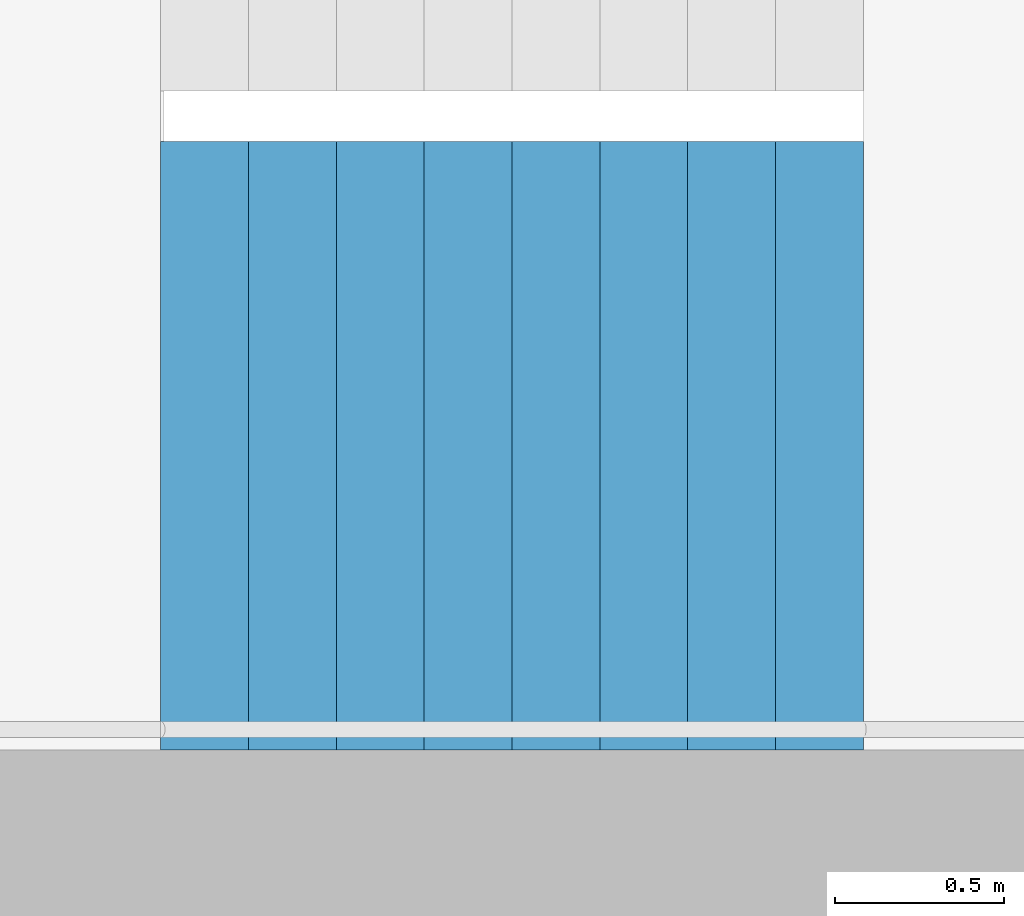
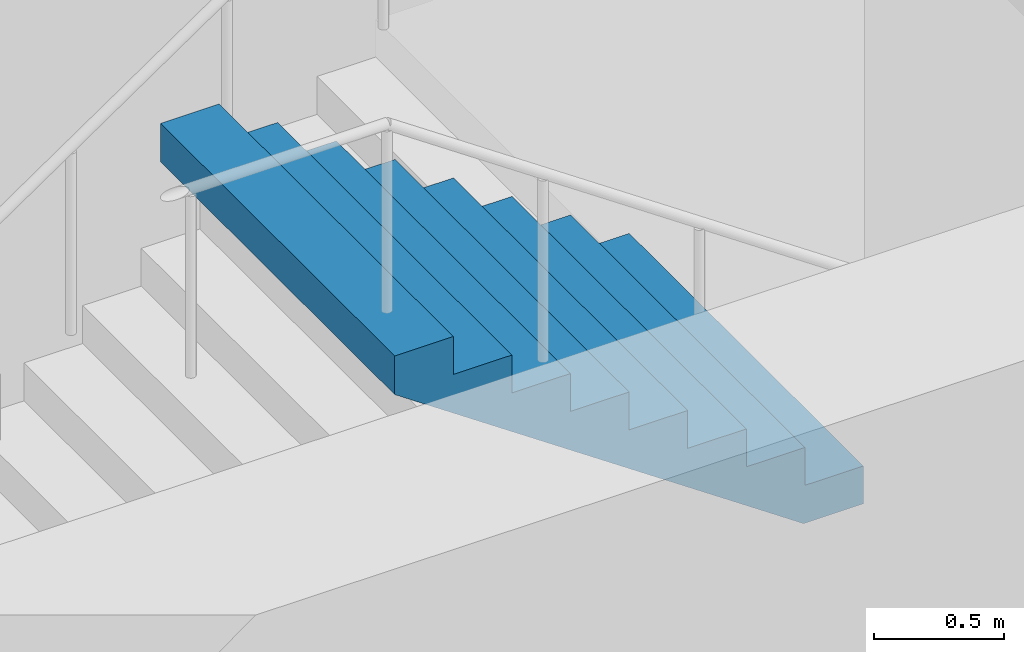
# One storey, part 25 of 42: 1 stair flight, 1 element without a shape of its own.
"""IFC4 building model written with IfcOpenShell, lengths in metres."""

from ifc_helpers import new_model, si_unit, direction, frame, origin, place, context, subcontext, project, spatial, triangles, material, type_object, element, aggregate, save


model = new_model("IFC4")

# Units and contexts
model_context = context("Model", 3, precision=1e-05, world=origin(), true_north=direction((0.0, 1.0)))
body_context = subcontext(model_context, "Body", "Model", "MODEL_VIEW")
ifc_project = project(units=[si_unit("LENGTHUNIT", "METRE"), si_unit("AREAUNIT", "SQUARE_METRE"), si_unit("VOLUMEUNIT", "CUBIC_METRE"), si_unit("PLANEANGLEUNIT", "RADIAN"), si_unit("MASSUNIT", "GRAM", prefix="KILO")], contexts=[model_context])

# Site, building, storey
site_placement = place(None, origin())
site = spatial("IfcSite", under=ifc_project, at=site_placement, CompositionType="ELEMENT")
building_placement = place(site_placement, origin())
building = spatial("IfcBuilding", under=site, at=building_placement, Name="Hakoniwa Tower and Hamabe Station Hall", CompositionType="ELEMENT")
storey_placement = place(building_placement, frame((0.0, 0.0, 232.60009765625)))
storey = spatial("IfcBuildingStorey", under=building, at=storey_placement, Name="L66", CompositionType="ELEMENT", Elevation=232.60009765625)

# Stair, stair flight
ifc_material_1 = material(Name="Concrete C40", Category="concrete")
stair_type = type_object("IfcStairType", Name="ESCAPE STAIR 1800", PredefinedType="HALF_TURN_STAIR", material=ifc_material_1)
stair_placement = place(storey_placement, origin())
stair = element("IfcStair", 1, at=stair_placement, inside=storey, type_object=stair_type, Name="Escape stair ST-4 L66", PredefinedType="HALF_TURN_STAIR")
ifc_material_2 = material(Name="Concrete C40", Category="concrete")
stair_flight_type = type_object("IfcStairFlightType", Name="STAIR FLIGHT 1800", PredefinedType="STRAIGHT", material=ifc_material_2)
stair_flight_placement = place(storey_placement, frame((25.47998046875, -6.60009765625, 4.7998046875), z_axis=(0.0, 0.0, 1.0), x_axis=(-1.0, 0.0, 0.0)))
stair_flight = element("IfcStairFlight", 2, at=stair_flight_placement, type_object=stair_flight_type, Name="ST-4 flight 4", NumberOfRisers=9, NumberOfTreads=8, PredefinedType="STRAIGHT", RiserHeight=0.177777778, TreadLength=0.26, context=body_context, shape_type="Tessellation", body=[
    triangles([(0.0, 0.89990234375, 0.0), (0.260009765625, 0.89990234375, 0.0), (0.265625, 0.89990234375, 0.0), (0.52001953125, 0.89990234375, 0.174072265625), (0.780029296875, 0.89990234375, 0.351806640625), (1.0400390625, 0.89990234375, 0.529541015625), (1.300048828125, 0.89990234375, 0.707275390625), (1.56005859375, 0.89990234375, 0.885009765625), (1.820068359375, 0.89990234375, 1.062744140625), (2.080078125, 0.89990234375, 1.24072265625), (2.080078125, 0.89990234375, 1.422119140625), (1.820068359375, 0.89990234375, 1.422119140625), (1.820068359375, 0.89990234375, 1.244384765625), (1.56005859375, 0.89990234375, 1.244384765625), (1.56005859375, 0.89990234375, 1.066650390625), (1.300048828125, 0.89990234375, 1.066650390625), (1.300048828125, 0.89990234375, 0.888916015625), (1.0400390625, 0.89990234375, 0.888916015625), (1.0400390625, 0.89990234375, 0.711181640625), (0.780029296875, 0.89990234375, 0.711181640625), (0.780029296875, 0.89990234375, 0.533447265625), (0.52001953125, 0.89990234375, 0.533447265625), (0.52001953125, 0.89990234375, 0.35546875), (0.265625, 0.89990234375, 0.35546875), (0.260009765625, 0.89990234375, 0.35546875), (0.260009765625, 0.89990234375, 0.177734375), (0.0, 0.89990234375, 0.177734375), (0.0, 0.06005859375, 0.0), (0.260009765625, 0.06005859375, 0.0), (0.265625, 0.06005859375, 0.0), (0.52001953125, 0.06005859375, 0.174072265625), (0.780029296875, 0.06005859375, 0.351806640625), (1.0400390625, 0.06005859375, 0.529541015625), (1.300048828125, 0.06005859375, 0.707275390625), (1.56005859375, 0.06005859375, 0.885009765625), (1.820068359375, 0.06005859375, 1.062744140625), (2.080078125, 0.06005859375, 1.24072265625), (2.080078125, 0.06005859375, 1.422119140625), (1.820068359375, 0.06005859375, 1.422119140625), (1.820068359375, 0.06005859375, 1.244384765625), (1.56005859375, 0.06005859375, 1.244384765625), (1.56005859375, 0.06005859375, 1.066650390625), (1.300048828125, 0.06005859375, 1.066650390625), (1.300048828125, 0.06005859375, 0.888916015625), (1.0400390625, 0.06005859375, 0.888916015625), (1.0400390625, 0.06005859375, 0.711181640625), (0.780029296875, 0.06005859375, 0.711181640625), (0.780029296875, 0.06005859375, 0.533447265625), (0.52001953125, 0.06005859375, 0.533447265625), (0.52001953125, 0.06005859375, 0.35546875), (0.265625, 0.06005859375, 0.35546875), (0.260009765625, 0.06005859375, 0.35546875), (0.260009765625, 0.06005859375, 0.177734375), (0.0, 0.06005859375, 0.177734375), (0.0, 0.04296875, 0.0), (0.260009765625, 0.04296875, 0.0), (0.265625, 0.04296875, 0.0), (0.52001953125, 0.04296875, 0.174072265625), (0.780029296875, 0.04296875, 0.351806640625), (1.0400390625, 0.04296875, 0.529541015625), (1.300048828125, 0.04296875, 0.707275390625), (1.56005859375, 0.04296875, 0.885009765625), (1.820068359375, 0.04296875, 1.062744140625), (2.080078125, 0.04296875, 1.24072265625), (2.080078125, 0.04296875, 1.422119140625), (1.820068359375, 0.04296875, 1.422119140625), (1.820068359375, 0.04296875, 1.244384765625), (1.56005859375, 0.04296875, 1.244384765625), (1.56005859375, 0.04296875, 1.066650390625), (1.300048828125, 0.04296875, 1.066650390625), (1.300048828125, 0.04296875, 0.888916015625), (1.0400390625, 0.04296875, 0.888916015625), (1.0400390625, 0.04296875, 0.711181640625), (0.780029296875, 0.04296875, 0.711181640625), (0.780029296875, 0.04296875, 0.533447265625), (0.52001953125, 0.04296875, 0.533447265625), (0.52001953125, 0.04296875, 0.35546875), (0.265625, 0.04296875, 0.35546875), (0.260009765625, 0.04296875, 0.35546875), (0.260009765625, 0.04296875, 0.177734375), (0.0, 0.04296875, 0.177734375), (0.0, 0.025634765625, 0.0), (0.260009765625, 0.025634765625, 0.0), (0.265625, 0.025634765625, 0.0), (0.52001953125, 0.025634765625, 0.174072265625), (0.780029296875, 0.025634765625, 0.351806640625), (1.0400390625, 0.025634765625, 0.529541015625), (1.300048828125, 0.025634765625, 0.707275390625), (1.56005859375, 0.025634765625, 0.885009765625), (1.820068359375, 0.025634765625, 1.062744140625), (2.080078125, 0.025634765625, 1.24072265625), (2.080078125, 0.025634765625, 1.422119140625), (1.820068359375, 0.025634765625, 1.422119140625), (1.820068359375, 0.025634765625, 1.244384765625), (1.56005859375, 0.025634765625, 1.244384765625), (1.56005859375, 0.025634765625, 1.066650390625), (1.300048828125, 0.025634765625, 1.066650390625), (1.300048828125, 0.025634765625, 0.888916015625), (1.0400390625, 0.025634765625, 0.888916015625), (1.0400390625, 0.025634765625, 0.711181640625), (0.780029296875, 0.025634765625, 0.711181640625), (0.780029296875, 0.025634765625, 0.533447265625), (0.52001953125, 0.025634765625, 0.533447265625), (0.52001953125, 0.025634765625, 0.35546875), (0.265625, 0.025634765625, 0.35546875), (0.260009765625, 0.025634765625, 0.35546875), (0.260009765625, 0.025634765625, 0.177734375), (0.0, 0.025634765625, 0.177734375), (0.0, 0.008544921875, 0.0), (0.260009765625, 0.008544921875, 0.0), (0.265625, 0.008544921875, 0.0), (0.52001953125, 0.008544921875, 0.174072265625), (0.780029296875, 0.008544921875, 0.351806640625), (1.0400390625, 0.008544921875, 0.529541015625), (1.300048828125, 0.008544921875, 0.707275390625), (1.56005859375, 0.008544921875, 0.885009765625), (1.820068359375, 0.008544921875, 1.062744140625), (2.080078125, 0.008544921875, 1.24072265625), (2.080078125, 0.008544921875, 1.422119140625), (1.820068359375, 0.008544921875, 1.422119140625), (1.820068359375, 0.008544921875, 1.244384765625), (1.56005859375, 0.008544921875, 1.244384765625), (1.56005859375, 0.008544921875, 1.066650390625), (1.300048828125, 0.008544921875, 1.066650390625), (1.300048828125, 0.008544921875, 0.888916015625), (1.0400390625, 0.008544921875, 0.888916015625), (1.0400390625, 0.008544921875, 0.711181640625), (0.780029296875, 0.008544921875, 0.711181640625), (0.780029296875, 0.008544921875, 0.533447265625), (0.52001953125, 0.008544921875, 0.533447265625), (0.52001953125, 0.008544921875, 0.35546875), (0.265625, 0.008544921875, 0.35546875), (0.260009765625, 0.008544921875, 0.35546875), (0.260009765625, 0.008544921875, 0.177734375), (0.0, 0.008544921875, 0.177734375), (0.0, -0.008544921875, 0.0), (0.260009765625, -0.008544921875, 0.0), (0.265625, -0.008544921875, 0.0), (0.52001953125, -0.008544921875, 0.174072265625), (0.780029296875, -0.008544921875, 0.351806640625), (1.0400390625, -0.008544921875, 0.529541015625), (1.300048828125, -0.008544921875, 0.707275390625), (1.56005859375, -0.008544921875, 0.885009765625), (1.820068359375, -0.008544921875, 1.062744140625), (2.080078125, -0.008544921875, 1.24072265625), (2.080078125, -0.008544921875, 1.422119140625), (1.820068359375, -0.008544921875, 1.422119140625), (1.820068359375, -0.008544921875, 1.244384765625), (1.56005859375, -0.008544921875, 1.244384765625), (1.56005859375, -0.008544921875, 1.066650390625), (1.300048828125, -0.008544921875, 1.066650390625), (1.300048828125, -0.008544921875, 0.888916015625), (1.0400390625, -0.008544921875, 0.888916015625), (1.0400390625, -0.008544921875, 0.711181640625), (0.780029296875, -0.008544921875, 0.711181640625), (0.780029296875, -0.008544921875, 0.533447265625), (0.52001953125, -0.008544921875, 0.533447265625), (0.52001953125, -0.008544921875, 0.35546875), (0.265625, -0.008544921875, 0.35546875), (0.260009765625, -0.008544921875, 0.35546875), (0.260009765625, -0.008544921875, 0.177734375), (0.0, -0.008544921875, 0.177734375), (0.0, -0.025634765625, 0.0), (0.260009765625, -0.025634765625, 0.0), (0.265625, -0.025634765625, 0.0), (0.52001953125, -0.025634765625, 0.174072265625), (0.780029296875, -0.025634765625, 0.351806640625), (1.0400390625, -0.025634765625, 0.529541015625), (1.300048828125, -0.025634765625, 0.707275390625), (1.56005859375, -0.025634765625, 0.885009765625), (1.820068359375, -0.025634765625, 1.062744140625), (2.080078125, -0.025634765625, 1.24072265625), (2.080078125, -0.025634765625, 1.422119140625), (1.820068359375, -0.025634765625, 1.422119140625), (1.820068359375, -0.025634765625, 1.244384765625), (1.56005859375, -0.025634765625, 1.244384765625), (1.56005859375, -0.025634765625, 1.066650390625), (1.300048828125, -0.025634765625, 1.066650390625), (1.300048828125, -0.025634765625, 0.888916015625), (1.0400390625, -0.025634765625, 0.888916015625), (1.0400390625, -0.025634765625, 0.711181640625), (0.780029296875, -0.025634765625, 0.711181640625), (0.780029296875, -0.025634765625, 0.533447265625), (0.52001953125, -0.025634765625, 0.533447265625), (0.52001953125, -0.025634765625, 0.35546875), (0.265625, -0.025634765625, 0.35546875), (0.260009765625, -0.025634765625, 0.35546875), (0.260009765625, -0.025634765625, 0.177734375), (0.0, -0.025634765625, 0.177734375), (0.0, -0.04296875, 0.0), (0.260009765625, -0.04296875, 0.0), (0.265625, -0.04296875, 0.0), (0.52001953125, -0.04296875, 0.174072265625), (0.780029296875, -0.04296875, 0.351806640625), (1.0400390625, -0.04296875, 0.529541015625), (1.300048828125, -0.04296875, 0.707275390625), (1.56005859375, -0.04296875, 0.885009765625), (1.820068359375, -0.04296875, 1.062744140625), (2.080078125, -0.04296875, 1.24072265625), (2.080078125, -0.04296875, 1.422119140625), (1.820068359375, -0.04296875, 1.422119140625), (1.820068359375, -0.04296875, 1.244384765625), (1.56005859375, -0.04296875, 1.244384765625), (1.56005859375, -0.04296875, 1.066650390625), (1.300048828125, -0.04296875, 1.066650390625), (1.300048828125, -0.04296875, 0.888916015625), (1.0400390625, -0.04296875, 0.888916015625), (1.0400390625, -0.04296875, 0.711181640625), (0.780029296875, -0.04296875, 0.711181640625), (0.780029296875, -0.04296875, 0.533447265625), (0.52001953125, -0.04296875, 0.533447265625), (0.52001953125, -0.04296875, 0.35546875), (0.265625, -0.04296875, 0.35546875), (0.260009765625, -0.04296875, 0.35546875), (0.260009765625, -0.04296875, 0.177734375), (0.0, -0.04296875, 0.177734375), (0.0, -0.06005859375, 0.0), (0.260009765625, -0.06005859375, 0.0), (0.265625, -0.06005859375, 0.0), (0.52001953125, -0.06005859375, 0.174072265625), (0.780029296875, -0.06005859375, 0.351806640625), (1.0400390625, -0.06005859375, 0.529541015625), (1.300048828125, -0.06005859375, 0.707275390625), (1.56005859375, -0.06005859375, 0.885009765625), (1.820068359375, -0.06005859375, 1.062744140625), (2.080078125, -0.06005859375, 1.24072265625), (2.080078125, -0.06005859375, 1.422119140625), (1.820068359375, -0.06005859375, 1.422119140625), (1.820068359375, -0.06005859375, 1.244384765625), (1.56005859375, -0.06005859375, 1.244384765625), (1.56005859375, -0.06005859375, 1.066650390625), (1.300048828125, -0.06005859375, 1.066650390625), (1.300048828125, -0.06005859375, 0.888916015625), (1.0400390625, -0.06005859375, 0.888916015625), (1.0400390625, -0.06005859375, 0.711181640625), (0.780029296875, -0.06005859375, 0.711181640625), (0.780029296875, -0.06005859375, 0.533447265625), (0.52001953125, -0.06005859375, 0.533447265625), (0.52001953125, -0.06005859375, 0.35546875), (0.265625, -0.06005859375, 0.35546875), (0.260009765625, -0.06005859375, 0.35546875), (0.260009765625, -0.06005859375, 0.177734375), (0.0, -0.06005859375, 0.177734375), (0.0, -0.89990234375, 0.0), (0.260009765625, -0.89990234375, 0.0), (0.265625, -0.89990234375, 0.0), (0.52001953125, -0.89990234375, 0.174072265625), (0.780029296875, -0.89990234375, 0.351806640625), (1.0400390625, -0.89990234375, 0.529541015625), (1.300048828125, -0.89990234375, 0.707275390625), (1.56005859375, -0.89990234375, 0.885009765625), (1.820068359375, -0.89990234375, 1.062744140625), (2.080078125, -0.89990234375, 1.24072265625), (2.080078125, -0.89990234375, 1.422119140625), (1.820068359375, -0.89990234375, 1.422119140625), (1.820068359375, -0.89990234375, 1.244384765625), (1.56005859375, -0.89990234375, 1.244384765625), (1.56005859375, -0.89990234375, 1.066650390625), (1.300048828125, -0.89990234375, 1.066650390625), (1.300048828125, -0.89990234375, 0.888916015625), (1.0400390625, -0.89990234375, 0.888916015625), (1.0400390625, -0.89990234375, 0.711181640625), (0.780029296875, -0.89990234375, 0.711181640625), (0.780029296875, -0.89990234375, 0.533447265625), (0.52001953125, -0.89990234375, 0.533447265625), (0.52001953125, -0.89990234375, 0.35546875), (0.265625, -0.89990234375, 0.35546875), (0.260009765625, -0.89990234375, 0.35546875), (0.260009765625, -0.89990234375, 0.177734375), (0.0, -0.89990234375, 0.177734375)], [[2, 27, 26], [245, 269, 270], [2, 1, 27], [245, 270, 244], [3, 25, 24], [246, 267, 268], [3, 26, 25], [246, 268, 269], [3, 2, 26], [246, 269, 245], [4, 24, 23], [247, 266, 267], [4, 3, 24], [247, 267, 246], [5, 22, 21], [248, 264, 265], [5, 23, 22], [248, 265, 266], [5, 4, 23], [248, 266, 247], [6, 20, 19], [249, 262, 263], [6, 21, 20], [249, 263, 264], [6, 5, 21], [249, 264, 248], [7, 18, 17], [250, 260, 261], [7, 19, 18], [250, 261, 262], [7, 6, 19], [250, 262, 249], [8, 16, 15], [251, 258, 259], [8, 17, 16], [251, 259, 260], [8, 7, 17], [251, 260, 250], [9, 14, 13], [252, 256, 257], [9, 15, 14], [252, 257, 258], [9, 8, 15], [252, 258, 251], [10, 12, 11], [253, 254, 255], [10, 13, 12], [253, 255, 256], [10, 9, 13], [253, 256, 252], [1, 2, 29], [1, 29, 28], [28, 29, 56], [28, 56, 55], [55, 56, 83], [55, 83, 82], [82, 83, 110], [82, 110, 109], [109, 110, 137], [109, 137, 136], [136, 137, 164], [136, 164, 163], [163, 164, 191], [163, 191, 190], [190, 191, 218], [190, 218, 217], [217, 218, 245], [217, 245, 244], [2, 3, 30], [2, 30, 29], [29, 30, 57], [29, 57, 56], [56, 57, 84], [56, 84, 83], [83, 84, 111], [83, 111, 110], [110, 111, 138], [110, 138, 137], [137, 138, 165], [137, 165, 164], [164, 165, 192], [164, 192, 191], [191, 192, 219], [191, 219, 218], [218, 219, 246], [218, 246, 245], [3, 4, 31], [3, 31, 30], [30, 31, 58], [30, 58, 57], [57, 58, 85], [57, 85, 84], [84, 85, 112], [84, 112, 111], [111, 112, 139], [111, 139, 138], [138, 139, 166], [138, 166, 165], [165, 166, 193], [165, 193, 192], [192, 193, 220], [192, 220, 219], [219, 220, 247], [219, 247, 246], [4, 5, 32], [4, 32, 31], [31, 32, 59], [31, 59, 58], [58, 59, 86], [58, 86, 85], [85, 86, 113], [85, 113, 112], [112, 113, 140], [112, 140, 139], [139, 140, 167], [139, 167, 166], [166, 167, 194], [166, 194, 193], [193, 194, 221], [193, 221, 220], [220, 221, 248], [220, 248, 247], [5, 6, 33], [5, 33, 32], [32, 33, 60], [32, 60, 59], [59, 60, 87], [59, 87, 86], [86, 87, 114], [86, 114, 113], [113, 114, 141], [113, 141, 140], [140, 141, 168], [140, 168, 167], [167, 168, 195], [167, 195, 194], [194, 195, 222], [194, 222, 221], [221, 222, 249], [221, 249, 248], [6, 7, 34], [6, 34, 33], [33, 34, 61], [33, 61, 60], [60, 61, 88], [60, 88, 87], [87, 88, 115], [87, 115, 114], [114, 115, 142], [114, 142, 141], [141, 142, 169], [141, 169, 168], [168, 169, 196], [168, 196, 195], [195, 196, 223], [195, 223, 222], [222, 223, 250], [222, 250, 249], [7, 8, 35], [7, 35, 34], [34, 35, 62], [34, 62, 61], [61, 62, 89], [61, 89, 88], [88, 89, 116], [88, 116, 115], [115, 116, 143], [115, 143, 142], [142, 143, 170], [142, 170, 169], [169, 170, 197], [169, 197, 196], [196, 197, 224], [196, 224, 223], [223, 224, 251], [223, 251, 250], [8, 9, 36], [8, 36, 35], [35, 36, 63], [35, 63, 62], [62, 63, 90], [62, 90, 89], [89, 90, 117], [89, 117, 116], [116, 117, 144], [116, 144, 143], [143, 144, 171], [143, 171, 170], [170, 171, 198], [170, 198, 197], [197, 198, 225], [197, 225, 224], [224, 225, 252], [224, 252, 251], [9, 10, 37], [9, 37, 36], [36, 37, 64], [36, 64, 63], [63, 64, 91], [63, 91, 90], [90, 91, 118], [90, 118, 117], [117, 118, 145], [117, 145, 144], [144, 145, 172], [144, 172, 171], [171, 172, 199], [171, 199, 198], [198, 199, 226], [198, 226, 225], [225, 226, 253], [225, 253, 252], [10, 11, 38], [10, 38, 37], [37, 38, 65], [37, 65, 64], [64, 65, 92], [64, 92, 91], [91, 92, 119], [91, 119, 118], [118, 119, 146], [118, 146, 145], [145, 146, 173], [145, 173, 172], [172, 173, 200], [172, 200, 199], [199, 200, 227], [199, 227, 226], [226, 227, 254], [226, 254, 253], [11, 12, 39], [11, 39, 38], [38, 39, 66], [38, 66, 65], [65, 66, 93], [65, 93, 92], [92, 93, 120], [92, 120, 119], [119, 120, 147], [119, 147, 146], [146, 147, 174], [146, 174, 173], [173, 174, 201], [173, 201, 200], [200, 201, 228], [200, 228, 227], [227, 228, 255], [227, 255, 254], [12, 13, 40], [12, 40, 39], [39, 40, 67], [39, 67, 66], [66, 67, 94], [66, 94, 93], [93, 94, 121], [93, 121, 120], [120, 121, 148], [120, 148, 147], [147, 148, 175], [147, 175, 174], [174, 175, 202], [174, 202, 201], [201, 202, 229], [201, 229, 228], [228, 229, 256], [228, 256, 255], [13, 14, 41], [13, 41, 40], [40, 41, 68], [40, 68, 67], [67, 68, 95], [67, 95, 94], [94, 95, 122], [94, 122, 121], [121, 122, 149], [121, 149, 148], [148, 149, 176], [148, 176, 175], [175, 176, 203], [175, 203, 202], [202, 203, 230], [202, 230, 229], [229, 230, 257], [229, 257, 256], [14, 15, 42], [14, 42, 41], [41, 42, 69], [41, 69, 68], [68, 69, 96], [68, 96, 95], [95, 96, 123], [95, 123, 122], [122, 123, 150], [122, 150, 149], [149, 150, 177], [149, 177, 176], [176, 177, 204], [176, 204, 203], [203, 204, 231], [203, 231, 230], [230, 231, 258], [230, 258, 257], [15, 16, 43], [15, 43, 42], [42, 43, 70], [42, 70, 69], [69, 70, 97], [69, 97, 96], [96, 97, 124], [96, 124, 123], [123, 124, 151], [123, 151, 150], [150, 151, 178], [150, 178, 177], [177, 178, 205], [177, 205, 204], [204, 205, 232], [204, 232, 231], [231, 232, 259], [231, 259, 258], [16, 17, 44], [16, 44, 43], [43, 44, 71], [43, 71, 70], [70, 71, 98], [70, 98, 97], [97, 98, 125], [97, 125, 124], [124, 125, 152], [124, 152, 151], [151, 152, 179], [151, 179, 178], [178, 179, 206], [178, 206, 205], [205, 206, 233], [205, 233, 232], [232, 233, 260], [232, 260, 259], [17, 18, 45], [17, 45, 44], [44, 45, 72], [44, 72, 71], [71, 72, 99], [71, 99, 98], [98, 99, 126], [98, 126, 125], [125, 126, 153], [125, 153, 152], [152, 153, 180], [152, 180, 179], [179, 180, 207], [179, 207, 206], [206, 207, 234], [206, 234, 233], [233, 234, 261], [233, 261, 260], [18, 19, 46], [18, 46, 45], [45, 46, 73], [45, 73, 72], [72, 73, 100], [72, 100, 99], [99, 100, 127], [99, 127, 126], [126, 127, 154], [126, 154, 153], [153, 154, 181], [153, 181, 180], [180, 181, 208], [180, 208, 207], [207, 208, 235], [207, 235, 234], [234, 235, 262], [234, 262, 261], [19, 20, 47], [19, 47, 46], [46, 47, 74], [46, 74, 73], [73, 74, 101], [73, 101, 100], [100, 101, 128], [100, 128, 127], [127, 128, 155], [127, 155, 154], [154, 155, 182], [154, 182, 181], [181, 182, 209], [181, 209, 208], [208, 209, 236], [208, 236, 235], [235, 236, 263], [235, 263, 262], [20, 21, 48], [20, 48, 47], [47, 48, 75], [47, 75, 74], [74, 75, 102], [74, 102, 101], [101, 102, 129], [101, 129, 128], [128, 129, 156], [128, 156, 155], [155, 156, 183], [155, 183, 182], [182, 183, 210], [182, 210, 209], [209, 210, 237], [209, 237, 236], [236, 237, 264], [236, 264, 263], [21, 22, 49], [21, 49, 48], [48, 49, 76], [48, 76, 75], [75, 76, 103], [75, 103, 102], [102, 103, 130], [102, 130, 129], [129, 130, 157], [129, 157, 156], [156, 157, 184], [156, 184, 183], [183, 184, 211], [183, 211, 210], [210, 211, 238], [210, 238, 237], [237, 238, 265], [237, 265, 264], [22, 23, 50], [22, 50, 49], [49, 50, 77], [49, 77, 76], [76, 77, 104], [76, 104, 103], [103, 104, 131], [103, 131, 130], [130, 131, 158], [130, 158, 157], [157, 158, 185], [157, 185, 184], [184, 185, 212], [184, 212, 211], [211, 212, 239], [211, 239, 238], [238, 239, 266], [238, 266, 265], [23, 24, 51], [23, 51, 50], [50, 51, 78], [50, 78, 77], [77, 78, 105], [77, 105, 104], [104, 105, 132], [104, 132, 131], [131, 132, 159], [131, 159, 158], [158, 159, 186], [158, 186, 185], [185, 186, 213], [185, 213, 212], [212, 213, 240], [212, 240, 239], [239, 240, 267], [239, 267, 266], [24, 25, 52], [24, 52, 51], [51, 52, 79], [51, 79, 78], [78, 79, 106], [78, 106, 105], [105, 106, 133], [105, 133, 132], [132, 133, 160], [132, 160, 159], [159, 160, 187], [159, 187, 186], [186, 187, 214], [186, 214, 213], [213, 214, 241], [213, 241, 240], [240, 241, 268], [240, 268, 267], [25, 26, 53], [25, 53, 52], [52, 53, 80], [52, 80, 79], [79, 80, 107], [79, 107, 106], [106, 107, 134], [106, 134, 133], [133, 134, 161], [133, 161, 160], [160, 161, 188], [160, 188, 187], [187, 188, 215], [187, 215, 214], [214, 215, 242], [214, 242, 241], [241, 242, 269], [241, 269, 268], [26, 27, 54], [26, 54, 53], [53, 54, 81], [53, 81, 80], [80, 81, 108], [80, 108, 107], [107, 108, 135], [107, 135, 134], [134, 135, 162], [134, 162, 161], [161, 162, 189], [161, 189, 188], [188, 189, 216], [188, 216, 215], [215, 216, 243], [215, 243, 242], [242, 243, 270], [242, 270, 269], [27, 1, 28], [27, 28, 54], [54, 28, 55], [54, 55, 81], [81, 55, 82], [81, 82, 108], [108, 82, 109], [108, 109, 135], [135, 109, 136], [135, 136, 162], [162, 136, 163], [162, 163, 189], [189, 163, 190], [189, 190, 216], [216, 190, 217], [216, 217, 243], [243, 217, 244], [243, 244, 270]], closed=True),
])
aggregate(stair, [stair_flight])

save(model, "model.ifc")
